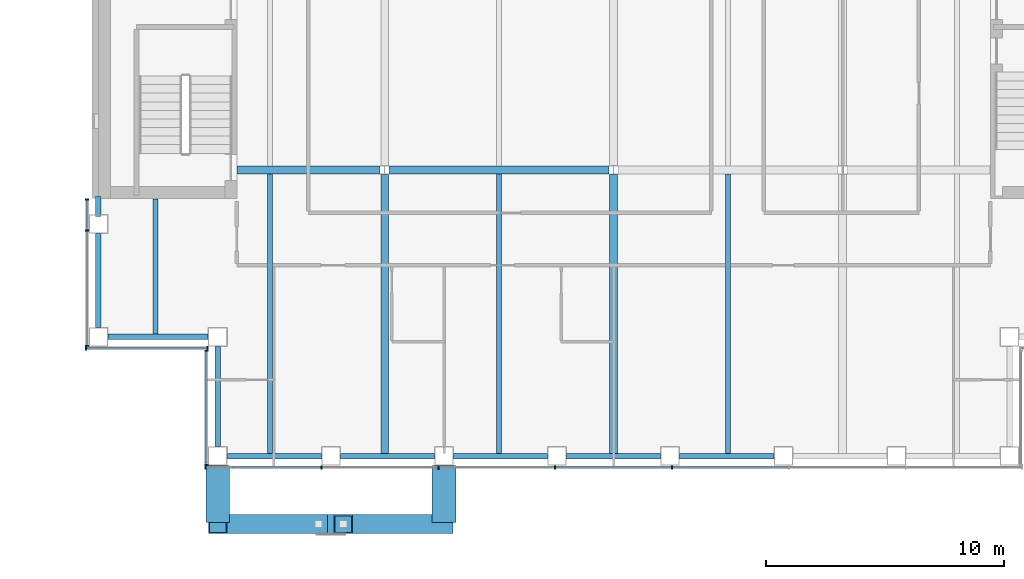
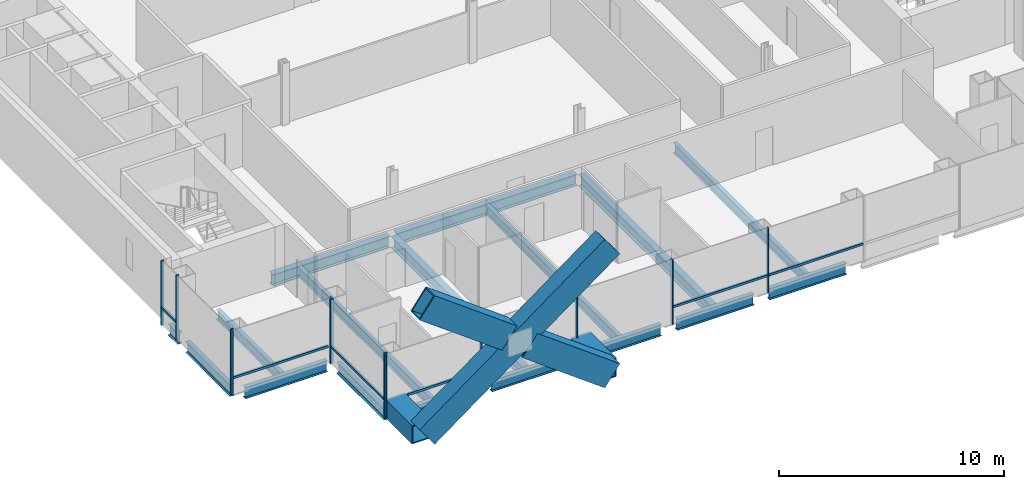
# One storey, part 3 of 14: 21 members, 19 beams, 4 elements without a shape of their own.
"""IFC4 building model written with IfcOpenShell, lengths in metres."""

from ifc_helpers import new_model, si_unit, direction, frame, origin, origin_2d, place, context, subcontext, project, spatial, rectangle, hollow_rectangle, i_section, extrude, material, material_profile, profile_set, type_object, element, aggregate, save


model = new_model("IFC4")

# Units and contexts
model_context = context("Model", 3, precision=1e-05, world=origin(), true_north=direction((0.0, 1.0)))
body_context = subcontext(model_context, "Body", "Model", "MODEL_VIEW")
ifc_project = project(units=[si_unit("LENGTHUNIT", "METRE"), si_unit("AREAUNIT", "SQUARE_METRE"), si_unit("VOLUMEUNIT", "CUBIC_METRE"), si_unit("PLANEANGLEUNIT", "RADIAN"), si_unit("MASSUNIT", "GRAM", prefix="KILO")], contexts=[model_context])

# Site, building, storey
site_placement = place(None, origin())
site = spatial("IfcSite", under=ifc_project, at=site_placement, CompositionType="ELEMENT")
building_placement = place(site_placement, origin())
building = spatial("IfcBuilding", under=site, at=building_placement, Name="Cobrizo Arcos Hotel Tower", CompositionType="ELEMENT")
storey_placement = place(building_placement, frame((0.0, 0.0, 179.5)))
storey = spatial("IfcBuildingStorey", under=building, at=storey_placement, Name="L46", CompositionType="ELEMENT", Elevation=179.5)

# Beams
ifc_material_1 = material(Name="Steel ASTM A572 Grade 50", Category="steel")
ifc_material_profile_1 = material_profile(ifc_material_1, hollow_rectangle(XDim=1.0, YDim=1.0, WallThickness=0.06005859375, at=origin_2d()), Name="BOX 1000X1000X60")
ifc_profile_set_1 = profile_set([ifc_material_profile_1], Name="Steel ASTM A572 Grade 50")
beam_type_1 = type_object("IfcBeamType", Name="BOX 1000X1000X60 brace connector strut", PredefinedType="BEAM", material=ifc_profile_set_1)
for number, where, z_axis, x_axis, name in (
    (1, (-7.1142578125, -21.989990234375, 0.5), (0.0, -1.0, 0.0), (1.0, 0.0, 0.0), "Perimeter brace stub BS1, zone Z3, south face, offset -7.11 m, L46"),
    (2, (-16.60009765625, -21.989990234375, 0.5), (0.0, -1.0, 0.0), (1.0, 0.0, 0.0), "Perimeter brace stub BS1, zone Z3, south face, offset -16.60 m, L46"),
):
    element("IfcBeam", number, at=place(storey_placement, frame(where, z_axis=z_axis, x_axis=x_axis)), inside=storey, type_object=beam_type_1, Name=name, PredefinedType="BEAM", context=body_context, shape_type="SweptSolid", body=[
        extrude(hollow_rectangle(XDim=1.0, YDim=1.0, WallThickness=0.06005859375, at=origin_2d()), origin(), (0.0, 0.0, 1.0), 2.380126953125),
    ])

# Members
ifc_material_profile_2 = material_profile(ifc_material_1, hollow_rectangle(XDim=0.800048828125, YDim=1.300048828125, WallThickness=0.06005859375, at=origin_2d()), Name="BOX 800X1300X60")
ifc_profile_set_2 = profile_set([ifc_material_profile_2], Name="Steel ASTM A572 Grade 50")
member_type_1 = type_object("IfcMemberType", Name="BOX 800X1300X60 perimeter brace", PredefinedType="BRACE", material=ifc_profile_set_2)
member_1_placement = place(storey_placement, frame((-16.60009765625, -24.449951171875, 0.5), z_axis=(0.804632973186, 0.0, 0.593772497225), x_axis=(0.0, 1.0, 0.0)))
element("IfcMember", 3, at=member_1_placement, inside=storey, type_object=member_type_1, Name="Perimeter brace PBR3, zone Z3, south face, no. 18", PredefinedType="BRACE", context=body_context, shape_type="SweptSolid", body=[
    extrude(hollow_rectangle(XDim=0.800048828125, YDim=1.300048828125, WallThickness=0.06005859375, at=origin_2d()), origin(), (0.0, 0.0, 1.0), 11.7890625),
])
for number, where, z_axis, x_axis, name in (
    (4, (-7.1142578125, -24.449951171875, 0.5), (-0.804623858684, 0.0, 0.593784848271), (0.0, -1.0, 0.0), "Perimeter brace PBR3, zone Z3, south face, no. 19"),
    (5, (-12.38037109375, -24.449951171875, 4.385986328125), (-0.804623858684, 0.0, 0.593784848271), (0.0, -1.0, 0.0), "Perimeter brace PBR3, zone Z3, south face, no. 19b"),
):
    element("IfcMember", number, at=place(storey_placement, frame(where, z_axis=z_axis, x_axis=x_axis)), inside=storey, type_object=member_type_1, Name=name, PredefinedType="BRACE", context=body_context, shape_type="SweptSolid", body=[
        extrude(hollow_rectangle(XDim=0.800048828125, YDim=1.300048828125, WallThickness=0.06005859375, at=origin_2d()), origin(), (0.0, 0.0, 1.0), 5.244384765625),
    ])

# Curtain wall, members
ifc_material_2 = material(Name="Aluminium 6063-T6 anodised bronze", Category="aluminium")
curtain_wall_type = type_object("IfcCurtainWallType", Name="CW-A guest facade", PredefinedType="NOTDEFINED", material=ifc_material_2)
curtain_wall_1_placement = place(storey_placement, origin())
curtain_wall_1 = element("IfcCurtainWall", 6, at=curtain_wall_1_placement, inside=storey, type_object=curtain_wall_type, Name="CW-A L46 S face", PredefinedType="NOTDEFINED")
ifc_material_profile_3 = material_profile(ifc_material_2, rectangle(XDim=0.14990234375, YDim=0.06005859375, at=origin_2d()), Name="CW-A mullion 150x60")
ifc_profile_set_3 = profile_set([ifc_material_profile_3], Name="Aluminium 6063-T6 anodised bronze")
member_type_2 = type_object("IfcMemberType", Name="CW-A mullion 150x60", PredefinedType="MULLION", material=ifc_profile_set_3)
member_2_placement = place(storey_placement, frame((-17.1201171875, -22.074951171875, 0.0), z_axis=(0.0, 0.0, 1.0), x_axis=(0.0, -1.0, 0.0)))
member_2 = element("IfcMember", 7, at=member_2_placement, type_object=member_type_2, Name="CW-A mullion 1", PredefinedType="MULLION", context=body_context, shape_type="SweptSolid", body=[
    extrude(rectangle(XDim=0.14990234375, YDim=0.06005859375, at=origin_2d()), origin(), (0.0, 0.0, 1.0), 3.5),
])
member_3_placement = place(storey_placement, frame((-12.25, -22.074951171875, 0.0), z_axis=(0.0, 0.0, 1.0), x_axis=(0.0, -1.0, 0.0)))
member_3 = element("IfcMember", 8, at=member_3_placement, type_object=member_type_2, Name="CW-A mullion 2", PredefinedType="MULLION", context=body_context, shape_type="SweptSolid", body=[
    extrude(rectangle(XDim=0.14990234375, YDim=0.06005859375, at=origin_2d()), origin(), (0.0, 0.0, 1.0), 3.5),
])
member_4_placement = place(storey_placement, frame((-7.35009765625, -22.074951171875, 0.0), z_axis=(0.0, 0.0, 1.0), x_axis=(0.0, -1.0, 0.0)))
member_4 = element("IfcMember", 9, at=member_4_placement, type_object=member_type_2, Name="CW-A mullion 3", PredefinedType="MULLION", context=body_context, shape_type="SweptSolid", body=[
    extrude(rectangle(XDim=0.14990234375, YDim=0.06005859375, at=origin_2d()), origin(), (0.0, 0.0, 1.0), 3.5),
])
member_5_placement = place(storey_placement, frame((-2.449951171875, -22.074951171875, 0.0), z_axis=(0.0, 0.0, 1.0), x_axis=(0.0, -1.0, 0.0)))
member_5 = element("IfcMember", 10, at=member_5_placement, type_object=member_type_2, Name="CW-A mullion 4", PredefinedType="MULLION", context=body_context, shape_type="SweptSolid", body=[
    extrude(rectangle(XDim=0.14990234375, YDim=0.06005859375, at=origin_2d()), origin(), (0.0, 0.0, 1.0), 3.5),
])
member_6_placement = place(storey_placement, frame((2.449951171875, -22.074951171875, 0.0), z_axis=(0.0, 0.0, 1.0), x_axis=(0.0, -1.0, 0.0)))
member_6 = element("IfcMember", 11, at=member_6_placement, type_object=member_type_2, Name="CW-A mullion 5", PredefinedType="MULLION", context=body_context, shape_type="SweptSolid", body=[
    extrude(rectangle(XDim=0.14990234375, YDim=0.06005859375, at=origin_2d()), origin(), (0.0, 0.0, 1.0), 3.5),
])

curtain_wall_2_placement = place(storey_placement, origin())
curtain_wall_2 = element("IfcCurtainWall", 12, at=curtain_wall_2_placement, inside=storey, type_object=curtain_wall_type, Name="CW-A L46 W face", PredefinedType="NOTDEFINED")
member_7_placement = place(storey_placement, frame((-22.074951171875, -10.830078125, 0.0), z_axis=(0.0, 0.0, 1.0), x_axis=(-1.0, 0.0, 0.0)))
member_7 = element("IfcMember", 13, at=member_7_placement, type_object=member_type_2, Name="CW-A mullion 1", PredefinedType="MULLION", context=body_context, shape_type="SweptSolid", body=[
    extrude(rectangle(XDim=0.14990234375, YDim=0.06005859375, at=origin_2d()), origin(), (0.0, 0.0, 1.0), 3.5),
])
member_8_placement = place(storey_placement, frame((-22.074951171875, -12.142822265625, 0.0), z_axis=(0.0, 0.0, 1.0), x_axis=(-1.0, 0.0, 0.0)))
member_8 = element("IfcMember", 14, at=member_8_placement, type_object=member_type_2, Name="CW-A mullion 2", PredefinedType="MULLION", context=body_context, shape_type="SweptSolid", body=[
    extrude(rectangle(XDim=0.14990234375, YDim=0.06005859375, at=origin_2d()), origin(), (0.0, 0.0, 1.0), 3.5),
])
member_9_placement = place(storey_placement, frame((-22.074951171875, -16.969970703125, 0.0), z_axis=(0.0, 0.0, 1.0), x_axis=(-1.0, 0.0, 0.0)))
member_9 = element("IfcMember", 15, at=member_9_placement, type_object=member_type_2, Name="CW-A mullion 3", PredefinedType="MULLION", context=body_context, shape_type="SweptSolid", body=[
    extrude(rectangle(XDim=0.14990234375, YDim=0.06005859375, at=origin_2d()), origin(), (0.0, 0.0, 1.0), 3.5),
])

curtain_wall_3_placement = place(storey_placement, origin())
curtain_wall_3 = element("IfcCurtainWall", 16, at=curtain_wall_3_placement, inside=storey, type_object=curtain_wall_type, Name="CW-A L46 S face", PredefinedType="NOTDEFINED")
member_10_placement = place(storey_placement, frame((-22.1201171875, -17.074951171875, 0.0), z_axis=(0.0, 0.0, 1.0), x_axis=(0.0, -1.0, 0.0)))
member_10 = element("IfcMember", 17, at=member_10_placement, type_object=member_type_2, Name="CW-A mullion 1", PredefinedType="MULLION", context=body_context, shape_type="SweptSolid", body=[
    extrude(rectangle(XDim=0.14990234375, YDim=0.06005859375, at=origin_2d()), origin(), (0.0, 0.0, 1.0), 3.5),
])
member_11_placement = place(storey_placement, frame((-17.030029296875, -17.074951171875, 0.0), z_axis=(0.0, 0.0, 1.0), x_axis=(0.0, -1.0, 0.0)))
member_11 = element("IfcMember", 18, at=member_11_placement, type_object=member_type_2, Name="CW-A mullion 2", PredefinedType="MULLION", context=body_context, shape_type="SweptSolid", body=[
    extrude(rectangle(XDim=0.14990234375, YDim=0.06005859375, at=origin_2d()), origin(), (0.0, 0.0, 1.0), 3.5),
])

curtain_wall_4_placement = place(storey_placement, origin())
curtain_wall_4 = element("IfcCurtainWall", 19, at=curtain_wall_4_placement, inside=storey, type_object=curtain_wall_type, Name="CW-A L46 W face", PredefinedType="NOTDEFINED")
member_12_placement = place(storey_placement, frame((-17.074951171875, -17.179931640625, 0.0), z_axis=(0.0, 0.0, 1.0), x_axis=(-1.0, 0.0, 0.0)))
member_12 = element("IfcMember", 20, at=member_12_placement, type_object=member_type_2, Name="CW-A mullion 1", PredefinedType="MULLION", context=body_context, shape_type="SweptSolid", body=[
    extrude(rectangle(XDim=0.14990234375, YDim=0.06005859375, at=origin_2d()), origin(), (0.0, 0.0, 1.0), 3.5),
])
member_13_placement = place(storey_placement, frame((-17.074951171875, -21.969970703125, 0.0), z_axis=(0.0, 0.0, 1.0), x_axis=(-1.0, 0.0, 0.0)))
member_13 = element("IfcMember", 21, at=member_13_placement, type_object=member_type_2, Name="CW-A mullion 2", PredefinedType="MULLION", context=body_context, shape_type="SweptSolid", body=[
    extrude(rectangle(XDim=0.14990234375, YDim=0.06005859375, at=origin_2d()), origin(), (0.0, 0.0, 1.0), 3.5),
])

# Member
ifc_material_profile_4 = material_profile(ifc_material_2, rectangle(XDim=0.10009765625, YDim=0.1201171875, at=origin_2d()), Name="CW-A transom 120x100")
ifc_profile_set_4 = profile_set([ifc_material_profile_4], Name="Aluminium 6063-T6 anodised bronze")
member_type_3 = type_object("IfcMemberType", Name="CW-A transom 120x100", PredefinedType="USERDEFINED", material=ifc_profile_set_4)
member_14_placement = place(storey_placement, frame((-16.0, -22.074951171875, 0.929931640625), z_axis=(1.0, 0.0, 0.0), x_axis=(0.0, 1.0, 0.0)))
member_14 = element("IfcMember", 22, at=member_14_placement, type_object=member_type_3, Name="CW-A transom 1606", ObjectType="TRANSOM", PredefinedType="USERDEFINED", context=body_context, shape_type="SweptSolid", body=[
    extrude(rectangle(XDim=0.10009765625, YDim=0.1201171875, at=origin_2d()), origin(), (0.0, 0.0, 1.0), 3.719970703125),
])

member_15_placement = place(storey_placement, frame((-2.419921875, -22.074951171875, 0.929931640625), z_axis=(1.0, 0.0, 0.0), x_axis=(0.0, 1.0, 0.0)))
member_15 = element("IfcMember", 23, at=member_15_placement, type_object=member_type_3, Name="CW-A transom 1609", ObjectType="TRANSOM", PredefinedType="USERDEFINED", context=body_context, shape_type="SweptSolid", body=[
    extrude(rectangle(XDim=0.10009765625, YDim=0.1201171875, at=origin_2d()), origin(), (0.0, 0.0, 1.0), 4.83984375),
])

member_16_placement = place(storey_placement, frame((2.47998046875, -22.074951171875, 0.929931640625), z_axis=(1.0, 0.0, 0.0), x_axis=(0.0, 1.0, 0.0)))
member_16 = element("IfcMember", 24, at=member_16_placement, type_object=member_type_3, Name="CW-A transom 1610", ObjectType="TRANSOM", PredefinedType="USERDEFINED", context=body_context, shape_type="SweptSolid", body=[
    extrude(rectangle(XDim=0.10009765625, YDim=0.1201171875, at=origin_2d()), origin(), (0.0, 0.0, 1.0), 4.840087890625),
])

aggregate(curtain_wall_1, [member_2, member_3, member_4, member_5, member_6, member_14, member_15, member_16])

member_17_placement = place(storey_placement, frame((-22.074951171875, -10.860107421875, 0.929931640625), z_axis=(0.0, -1.0, 0.0), x_axis=(1.0, 0.0, 0.0)))
member_17 = element("IfcMember", 25, at=member_17_placement, type_object=member_type_3, Name="CW-A transom 1632", ObjectType="TRANSOM", PredefinedType="USERDEFINED", context=body_context, shape_type="SweptSolid", body=[
    extrude(rectangle(XDim=0.10009765625, YDim=0.1201171875, at=origin_2d()), origin(), (0.0, 0.0, 1.0), 1.252685546875),
])

aggregate(curtain_wall_2, [member_7, member_8, member_9, member_17])

member_18_placement = place(storey_placement, frame((-22.090087890625, -17.074951171875, 0.929931640625), z_axis=(1.0, 0.0, 0.0), x_axis=(0.0, 1.0, 0.0)))
member_18 = element("IfcMember", 26, at=member_18_placement, type_object=member_type_3, Name="CW-A transom 1634", ObjectType="TRANSOM", PredefinedType="USERDEFINED", context=body_context, shape_type="SweptSolid", body=[
    extrude(rectangle(XDim=0.10009765625, YDim=0.1201171875, at=origin_2d()), origin(), (0.0, 0.0, 1.0), 4.89013671875),
])

aggregate(curtain_wall_3, [member_10, member_11, member_18])

member_19_placement = place(storey_placement, frame((-17.074951171875, -17.2099609375, 0.929931640625), z_axis=(0.0, -1.0, 0.0), x_axis=(1.0, 0.0, 0.0)))
member_19 = element("IfcMember", 27, at=member_19_placement, type_object=member_type_3, Name="CW-A transom 1635", ObjectType="TRANSOM", PredefinedType="USERDEFINED", context=body_context, shape_type="SweptSolid", body=[
    extrude(rectangle(XDim=0.10009765625, YDim=0.1201171875, at=origin_2d()), origin(), (0.0, 0.0, 1.0), 4.679931640625),
])

aggregate(curtain_wall_4, [member_12, member_13, member_19])

# Beams
ifc_material_3 = material(Name="Steel ASTM A992 Grade 50", Category="steel")
ifc_material_profile_5 = material_profile(ifc_material_3, i_section(OverallWidth=0.209228515625, OverallDepth=0.533447265625, WebThickness=0.01025390625, FlangeThickness=0.015625, at=origin_2d()), Name="W21X62")
ifc_profile_set_5 = profile_set([ifc_material_profile_5], Name="Steel ASTM A992 Grade 50")
beam_type_2 = type_object("IfcBeamType", Name="W21X62 joist", PredefinedType="JOIST", material=ifc_profile_set_5)
beam_1_placement = place(storey_placement, frame((-19.199951171875, -16.510009765625, -0.416748046875), z_axis=(0.0, 1.0, 0.0), x_axis=(-1.0, 0.0, 0.0)))
element("IfcBeam", 28, at=beam_1_placement, inside=storey, type_object=beam_type_2, Name="Floor joist J1, L46, no. 001", PredefinedType="JOIST", context=body_context, shape_type="SweptSolid", body=[
    extrude(i_section(OverallWidth=0.209228515625, OverallDepth=0.533447265625, WebThickness=0.01025390625, FlangeThickness=0.015625, at=origin_2d()), origin(), (0.0, 0.0, 1.0), 5.699951171875),
])
for number, where, z_axis, x_axis, name in (
    (29, (-14.39990234375, -21.510009765625, -0.416748046875), (0.0, 1.0, 0.0), (-1.0, 0.0, 0.0), "Floor joist J1, L46, no. 003"),
    (30, (-4.800048828125, -21.510009765625, -0.416748046875), (0.0, 1.0, 0.0), (-1.0, 0.0, 0.0), "Floor joist J1, L46, no. 007"),
    (31, (4.800048828125, -21.510009765625, -0.416748046875), (0.0, 1.0, 0.0), (-1.0, 0.0, 0.0), "Floor joist J1, L46, no. 011"),
):
    element("IfcBeam", number, at=place(storey_placement, frame(where, z_axis=z_axis, x_axis=x_axis)), inside=storey, type_object=beam_type_2, Name=name, PredefinedType="JOIST", context=body_context, shape_type="SweptSolid", body=[
        extrude(i_section(OverallWidth=0.209228515625, OverallDepth=0.533447265625, WebThickness=0.01025390625, FlangeThickness=0.015625, at=origin_2d()), origin(), (0.0, 0.0, 1.0), 11.74609375),
    ])
ifc_material_profile_6 = material_profile(ifc_material_3, i_section(OverallWidth=0.32763671875, OverallDepth=0.622314453125, WebThickness=0.015380859375, FlangeThickness=0.0244140625, at=origin_2d()), Name="W24X131")
ifc_profile_set_6 = profile_set([ifc_material_profile_6], Name="Steel ASTM A992 Grade 50")
beam_type_3 = type_object("IfcBeamType", Name="W24X131 girder", PredefinedType="BEAM", material=ifc_profile_set_6)
beam_2_placement = place(storey_placement, frame((-15.7900390625, -9.60009765625, -0.461181640625), z_axis=(1.0, 0.0, 0.0), x_axis=(0.0, 1.0, 0.0)))
element("IfcBeam", 32, at=beam_2_placement, inside=storey, type_object=beam_type_3, Name="Floor girder G1, L46, no. 001", PredefinedType="BEAM", context=body_context, shape_type="SweptSolid", body=[
    extrude(i_section(OverallWidth=0.32763671875, OverallDepth=0.622314453125, WebThickness=0.015380859375, FlangeThickness=0.0244140625, at=origin_2d()), origin(), (0.0, 0.0, 1.0), 6.00341796875),
])
beam_3_placement = place(storey_placement, frame((-9.413330078125, -9.60009765625, -0.461181640625), z_axis=(1.0, 0.0, 0.0), x_axis=(0.0, 1.0, 0.0)))
element("IfcBeam", 33, at=beam_3_placement, inside=storey, type_object=beam_type_3, Name="Floor girder G1, L46, no. 002", PredefinedType="BEAM", context=body_context, shape_type="SweptSolid", body=[
    extrude(i_section(OverallWidth=0.32763671875, OverallDepth=0.622314453125, WebThickness=0.015380859375, FlangeThickness=0.0244140625, at=origin_2d()), origin(), (0.0, 0.0, 1.0), 9.2265625),
])
for number, where, z_axis, x_axis, name in (
    (34, (-9.60009765625, -21.510009765625, -0.461181640625), (0.0, 1.0, 0.0), (-1.0, 0.0, 0.0), "Floor girder G1, L46, no. 013"),
    (35, (0.0, -21.510009765625, -0.461181640625), (0.0, 1.0, 0.0), (-1.0, 0.0, 0.0), "Floor girder G1, L46, no. 017"),
):
    element("IfcBeam", number, at=place(storey_placement, frame(where, z_axis=z_axis, x_axis=x_axis)), inside=storey, type_object=beam_type_3, Name=name, PredefinedType="BEAM", context=body_context, shape_type="SweptSolid", body=[
        extrude(i_section(OverallWidth=0.32763671875, OverallDepth=0.622314453125, WebThickness=0.015380859375, FlangeThickness=0.0244140625, at=origin_2d()), origin(), (0.0, 0.0, 1.0), 11.723388671875),
    ])
ifc_material_profile_7 = material_profile(ifc_material_3, i_section(OverallWidth=0.228271484375, OverallDepth=0.607177734375, WebThickness=0.01123046875, FlangeThickness=0.017333984375, at=origin_2d()), Name="W24X76")
ifc_profile_set_7 = profile_set([ifc_material_profile_7], Name="Steel ASTM A992 Grade 50")
beam_type_4 = type_object("IfcBeamType", Name="W24X76 spandrel", PredefinedType="SPANDREL", material=ifc_profile_set_7)
beam_4_placement = place(storey_placement, frame((-16.199951171875, -21.60009765625, -0.45361328125), z_axis=(1.0, 0.0, 0.0), x_axis=(0.0, 1.0, 0.0)))
element("IfcBeam", 36, at=beam_4_placement, inside=storey, type_object=beam_type_4, Name="Spandrel beam W24X76, L46, no. 001", PredefinedType="SPANDREL", context=body_context, shape_type="SweptSolid", body=[
    extrude(i_section(OverallWidth=0.228271484375, OverallDepth=0.607177734375, WebThickness=0.01123046875, FlangeThickness=0.017333984375, at=origin_2d()), origin(), (0.0, 0.0, 1.0), 3.94287109375),
])
for number, where, z_axis, x_axis, name in (
    (37, (-11.45703125, -21.60009765625, -0.45361328125), (1.0, 0.0, 0.0), (0.0, 1.0, 0.0), "Spandrel beam W24X76, L46, no. 002"),
    (38, (-6.714111328125, -21.60009765625, -0.45361328125), (1.0, 0.0, 0.0), (0.0, 1.0, 0.0), "Spandrel beam W24X76, L46, no. 003"),
):
    element("IfcBeam", number, at=place(storey_placement, frame(where, z_axis=z_axis, x_axis=x_axis)), inside=storey, type_object=beam_type_4, Name=name, PredefinedType="SPANDREL", context=body_context, shape_type="SweptSolid", body=[
        extrude(i_section(OverallWidth=0.228271484375, OverallDepth=0.607177734375, WebThickness=0.01123046875, FlangeThickness=0.017333984375, at=origin_2d()), origin(), (0.0, 0.0, 1.0), 3.943115234375),
    ])
beam_5_placement = place(storey_placement, frame((-1.970947265625, -21.60009765625, -0.45361328125), z_axis=(1.0, 0.0, 0.0), x_axis=(0.0, 1.0, 0.0)))
element("IfcBeam", 39, at=beam_5_placement, inside=storey, type_object=beam_type_4, Name="Spandrel beam W24X76, L46, no. 004", PredefinedType="SPANDREL", context=body_context, shape_type="SweptSolid", body=[
    extrude(i_section(OverallWidth=0.228271484375, OverallDepth=0.607177734375, WebThickness=0.01123046875, FlangeThickness=0.017333984375, at=origin_2d()), origin(), (0.0, 0.0, 1.0), 3.94189453125),
])
beam_6_placement = place(storey_placement, frame((2.77099609375, -21.60009765625, -0.45361328125), z_axis=(1.0, 0.0, 0.0), x_axis=(0.0, 1.0, 0.0)))
element("IfcBeam", 40, at=beam_6_placement, inside=storey, type_object=beam_type_4, Name="Spandrel beam W24X76, L46, no. 005", PredefinedType="SPANDREL", context=body_context, shape_type="SweptSolid", body=[
    extrude(i_section(OverallWidth=0.228271484375, OverallDepth=0.607177734375, WebThickness=0.01123046875, FlangeThickness=0.017333984375, at=origin_2d()), origin(), (0.0, 0.0, 1.0), 3.943115234375),
])
beam_7_placement = place(storey_placement, frame((-21.60009765625, -10.7099609375, -0.45361328125), z_axis=(0.0, -1.0, 0.0), x_axis=(1.0, 0.0, 0.0)))
element("IfcBeam", 41, at=beam_7_placement, inside=storey, type_object=beam_type_4, Name="Spandrel beam W24X76, L46, no. 027", PredefinedType="SPANDREL", context=body_context, shape_type="SweptSolid", body=[
    extrude(i_section(OverallWidth=0.228271484375, OverallDepth=0.607177734375, WebThickness=0.01123046875, FlangeThickness=0.017333984375, at=origin_2d()), origin(), (0.0, 0.0, 1.0), 0.846923828125),
])
beam_8_placement = place(storey_placement, frame((-21.60009765625, -12.257080078125, -0.45361328125), z_axis=(0.0, -1.0, 0.0), x_axis=(1.0, 0.0, 0.0)))
element("IfcBeam", 42, at=beam_8_placement, inside=storey, type_object=beam_type_4, Name="Spandrel beam W24X76, L46, no. 028", PredefinedType="SPANDREL", context=body_context, shape_type="SweptSolid", body=[
    extrude(i_section(OverallWidth=0.228271484375, OverallDepth=0.607177734375, WebThickness=0.01123046875, FlangeThickness=0.017333984375, at=origin_2d()), origin(), (0.0, 0.0, 1.0), 3.94287109375),
])
for number, where, z_axis, x_axis, name in (
    (43, (-21.199951171875, -16.60009765625, -0.45361328125), (1.0, 0.0, 0.0), (0.0, 1.0, 0.0), "Spandrel beam W24X76, L46, no. 029"),
    (44, (-16.60009765625, -17.0, -0.45361328125), (0.0, -1.0, 0.0), (1.0, 0.0, 0.0), "Spandrel beam W24X76, L46, no. 030"),
):
    element("IfcBeam", number, at=place(storey_placement, frame(where, z_axis=z_axis, x_axis=x_axis)), inside=storey, type_object=beam_type_4, Name=name, PredefinedType="SPANDREL", context=body_context, shape_type="SweptSolid", body=[
        extrude(i_section(OverallWidth=0.228271484375, OverallDepth=0.607177734375, WebThickness=0.01123046875, FlangeThickness=0.017333984375, at=origin_2d()), origin(), (0.0, 0.0, 1.0), 4.199951171875),
    ])

save(model, "model.ifc")
